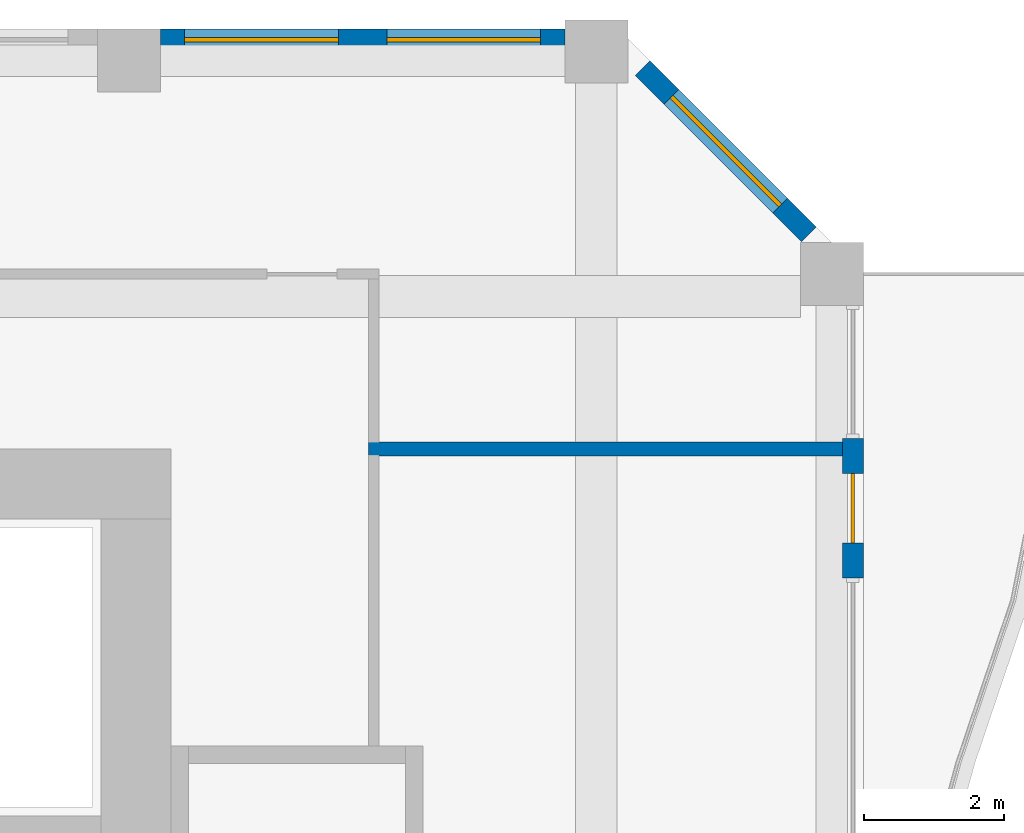
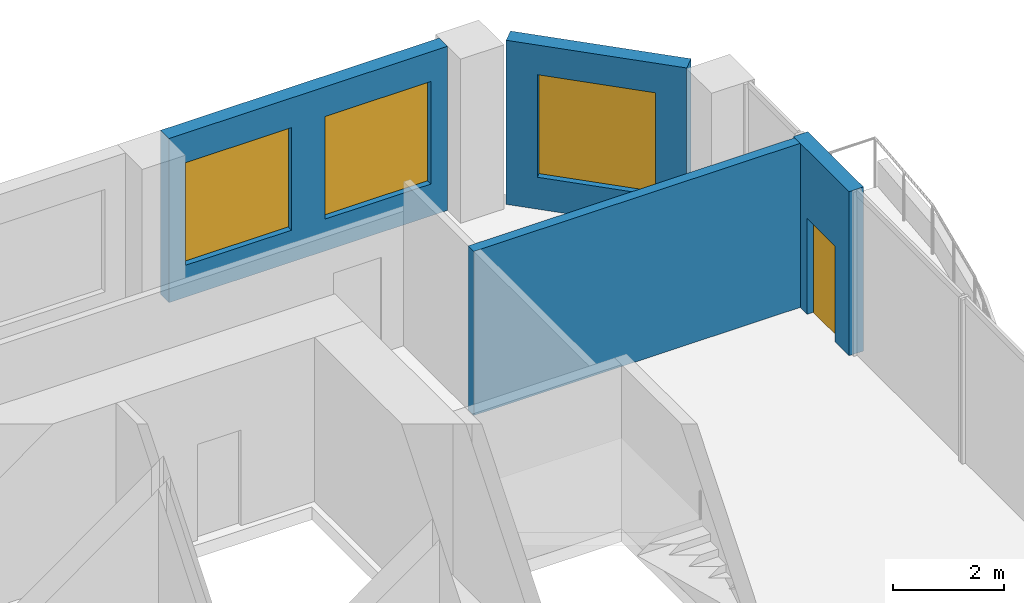
# One storey, part 18 of 23: 4 walls, 3 windows, 1 door, 4 openings.
"""IFC4 building model written with IfcOpenShell, lengths in metres."""

from ifc_helpers import new_model, si_unit, direction, frame, frame_2d, origin, place, context, subcontext, project, spatial, rectangle, extrude, source, transform, mapped, material, layer, layer_set, type_object, element, fill, save


model = new_model("IFC4")

# Units and contexts
model_context = context("Model", 3, precision=1e-05, world=origin(), true_north=direction((0.0, 1.0)))
body_context = subcontext(model_context, "Body", "Model", "MODEL_VIEW")
ifc_project = project(units=[si_unit("LENGTHUNIT", "METRE"), si_unit("AREAUNIT", "SQUARE_METRE"), si_unit("VOLUMEUNIT", "CUBIC_METRE"), si_unit("PLANEANGLEUNIT", "RADIAN"), si_unit("MASSUNIT", "GRAM", prefix="KILO")], contexts=[model_context])

# Site, building, storey
site_placement = place(None, origin())
site = spatial("IfcSite", under=ifc_project, at=site_placement, CompositionType="ELEMENT")
building_placement = place(site_placement, origin())
building = spatial("IfcBuilding", under=site, at=building_placement, Name="Kilnfold Tower and Market Hall", CompositionType="ELEMENT")
storey_placement = place(building_placement, frame((0.0, 0.0, 55.0)))
storey = spatial("IfcBuildingStorey", under=building, at=storey_placement, Name="L12", CompositionType="ELEMENT", Elevation=55.0)

# Wall
ifc_material_1 = material(Name="Gypsum board on steel studs", Category="steel")
ifc_layer_1 = layer(ifc_material_1, 0.199951171875)
ifc_layer_set_1 = layer_set([ifc_layer_1], Name="Gypsum board on steel studs")
wall_type_1 = type_object("IfcWallType", Name="WALL PARTY 200", PredefinedType="PARTITIONING", material=ifc_layer_set_1)
wall_1_placement = place(storey_placement, frame((27.75, 22.0, 0.0), z_axis=(0.0, 0.0, 1.0), x_axis=(-1.0, 0.0, 0.0)))
element("IfcWall", 1, at=wall_1_placement, inside=storey, type_object=wall_type_1, Name="Partition LY10.63", PredefinedType="PARTITIONING", context=body_context, shape_type="SweptSolid", body=[
    extrude(rectangle(XDim=6.823974609375, YDim=0.199951171875, at=frame_2d((3.412109375, 0.0))), origin(), (0.0, 0.0, 1.0), 3.60009765625),
])

# Wall, opening, door
ifc_material_2 = material(Name="Precast concrete C50/60", Category="concrete")
ifc_layer_2 = layer(ifc_material_2, 0.300048828125)
ifc_layer_set_2 = layer_set([ifc_layer_2], Name="Precast concrete C50/60")
wall_type_2 = type_object("IfcWallType", Name="PRECAST WALL 300", PredefinedType="SOLIDWALL", material=ifc_layer_set_2)
shared_shape_1 = source(origin(), body_context, "Body", "SweptSolid", [
    extrude(rectangle(XDim=2.0, YDim=0.300048828125, at=frame_2d((1.0, 0.0))), origin(), (0.0, 0.0, 1.0), 3.60009765625),
])
wall_2_placement = place(storey_placement, frame((27.85009765625, 20.14990234375, 0.0), z_axis=(0.0, 0.0, 1.0), x_axis=(0.0, 1.0, 0.0)))
wall_2 = element("IfcWall", 2, at=wall_2_placement, inside=storey, type_object=wall_type_2, Name="External wall L12 E", PredefinedType="SOLIDWALL", context=body_context, shape_type="MappedRepresentation", body=[
    mapped(shared_shape_1, transform((0.0, 0.0, 0.0))),
])
opening_1_placement = place(wall_2_placement, frame((0.5, 0.0, 0.0)))
opening_1 = element("IfcOpeningElement", 3, at=opening_1_placement, cuts=wall_2, Name="Opening BD1", PredefinedType="OPENING", context=body_context, shape_type="SweptSolid", body=[
    extrude(rectangle(XDim=1.0, YDim=2.10009765625, at=frame_2d((0.5, 1.050048828125))), frame((0.0, 0.16015625, 0.0), z_axis=(0.0, -1.0, 0.0), x_axis=(1.0, 0.0, 0.0)), (0.0, 0.0, 1.0), 0.320068359375),
])
ifc_material_3 = material(Name="Aluminium frame and double glazing", Category="aluminium")
door_type = type_object("IfcDoorType", Name="BALCONY DOOR 1000X2100", OperationType="NOTDEFINED", PredefinedType="DOOR", material=ifc_material_3)
door_placement = place(opening_1_placement, origin())
door = element("IfcDoor", 4, at=door_placement, inside=storey, type_object=door_type, Name="Balcony door BD1 L12 E-4", OperationType="SINGLE_SWING_RIGHT", OverallHeight=2.10009765625, OverallWidth=1.0, PredefinedType="DOOR", context=body_context, shape_type="SweptSolid", body=[
    extrude(rectangle(XDim=1.0, YDim=2.10009765625, at=frame_2d((0.5, 1.050048828125))), frame((0.0, 0.02490234375, 0.0), z_axis=(0.0, -1.0, 0.0), x_axis=(1.0, 0.0, 0.0)), (0.0, 0.0, 1.0), 0.050048828125),
])
fill(opening_1, door)

# Wall, opening, window
shared_shape_2 = source(origin(), body_context, "Body", "SweptSolid", [
    extrude(rectangle(XDim=3.35888671875, YDim=0.300048828125, at=frame_2d((1.679443359375, 0.0))), origin(), (0.0, 0.0, 1.0), 3.60009765625),
])
wall_3_placement = place(storey_placement, frame((27.218994140625, 25.06884765625, 0.0), z_axis=(0.0, 0.0, 1.0), x_axis=(-0.707070438228, 0.707143122278, 0.0)))
wall_3 = element("IfcWall", 5, at=wall_3_placement, inside=storey, type_object=wall_type_2, Name="External wall L12 NE", PredefinedType="SOLIDWALL", context=body_context, shape_type="MappedRepresentation", body=[
    mapped(shared_shape_2, transform((0.0, 0.0, 0.0))),
])
opening_2_placement = place(wall_3_placement, frame((0.579345703125, 0.0, 0.699951171875)))
opening_2 = element("IfcOpeningElement", 6, at=opening_2_placement, cuts=wall_3, Name="Opening W1", PredefinedType="OPENING", context=body_context, shape_type="SweptSolid", body=[
    extrude(rectangle(XDim=2.199951171875, YDim=2.25, at=frame_2d((1.10009765625, 1.125))), frame((0.0, 0.16015625, 0.0), z_axis=(0.0, -1.0, 0.0), x_axis=(1.0, 0.0, 0.0)), (0.0, 0.0, 1.0), 0.320068359375),
])
ifc_material_4 = material(Name="Aluminium frame and double glazing", Category="aluminium")
window_type = type_object("IfcWindowType", Name="WINDOW W1 2200X2250", PartitioningType="SINGLE_PANEL", PredefinedType="WINDOW", material=ifc_material_4)
window_1_placement = place(opening_2_placement, origin())
window_1 = element("IfcWindow", 7, at=window_1_placement, inside=storey, type_object=window_type, Name="Window W1 L12 NE-1", OverallHeight=2.25, OverallWidth=2.199951171875, PartitioningType="SINGLE_PANEL", PredefinedType="WINDOW", context=body_context, shape_type="SweptSolid", body=[
    extrude(rectangle(XDim=2.199951171875, YDim=2.25, at=frame_2d((1.10009765625, 1.125))), frame((0.0, 0.030029296875, 0.0), z_axis=(0.0, -1.0, 0.0), x_axis=(1.0, 0.0, 0.0)), (0.0, 0.0, 1.0), 0.06005859375),
])
fill(opening_2, window_1)

# Wall, openings, windows
shared_shape_3 = source(origin(), body_context, "Body", "SweptSolid", [
    extrude(rectangle(XDim=5.78173828125, YDim=0.300048828125, at=frame_2d((2.890869140625, 0.0))), origin(), (0.0, 0.0, 1.0), 3.60009765625),
])
wall_4_placement = place(storey_placement, frame((23.731689453125, 27.85009765625, 0.0), z_axis=(0.0, 0.0, 1.0), x_axis=(-1.0, 0.0, 0.0)))
wall_4 = element("IfcWall", 8, at=wall_4_placement, inside=storey, type_object=wall_type_2, Name="External wall L12 N", PredefinedType="SOLIDWALL", context=body_context, shape_type="MappedRepresentation", body=[
    mapped(shared_shape_3, transform((0.0, 0.0, 0.0))),
])
opening_3_placement = place(wall_4_placement, frame((0.345458984375, 0.0, 0.699951171875)))
opening_3 = element("IfcOpeningElement", 9, at=opening_3_placement, cuts=wall_4, Name="Opening W1", PredefinedType="OPENING", context=body_context, shape_type="SweptSolid", body=[
    extrude(rectangle(XDim=2.199951171875, YDim=2.25, at=frame_2d((1.10009765625, 1.125))), frame((0.0, 0.16015625, 0.0), z_axis=(0.0, -1.0, 0.0), x_axis=(1.0, 0.0, 0.0)), (0.0, 0.0, 1.0), 0.320068359375),
])
opening_4_placement = place(wall_4_placement, frame((3.236328125, 0.0, 0.699951171875)))
opening_4 = element("IfcOpeningElement", 10, at=opening_4_placement, cuts=wall_4, Name="Opening W1", PredefinedType="OPENING", context=body_context, shape_type="SweptSolid", body=[
    extrude(rectangle(XDim=2.199951171875, YDim=2.25, at=frame_2d((1.10009765625, 1.125))), frame((0.0, 0.16015625, 0.0), z_axis=(0.0, -1.0, 0.0), x_axis=(1.0, 0.0, 0.0)), (0.0, 0.0, 1.0), 0.320068359375),
])
window_2_placement = place(opening_3_placement, origin())
window_2 = element("IfcWindow", 11, at=window_2_placement, inside=storey, type_object=window_type, Name="Window W1 L12 N-1", OverallHeight=2.25, OverallWidth=2.199951171875, PartitioningType="SINGLE_PANEL", PredefinedType="WINDOW", context=body_context, shape_type="SweptSolid", body=[
    extrude(rectangle(XDim=2.199951171875, YDim=2.25, at=frame_2d((1.10009765625, 1.125))), frame((0.0, 0.030029296875, 0.0), z_axis=(0.0, -1.0, 0.0), x_axis=(1.0, 0.0, 0.0)), (0.0, 0.0, 1.0), 0.06005859375),
])
fill(opening_3, window_2)
window_3_placement = place(opening_4_placement, origin())
window_3 = element("IfcWindow", 12, at=window_3_placement, inside=storey, type_object=window_type, Name="Window W1 L12 N-2", OverallHeight=2.25, OverallWidth=2.199951171875, PartitioningType="SINGLE_PANEL", PredefinedType="WINDOW", context=body_context, shape_type="SweptSolid", body=[
    extrude(rectangle(XDim=2.199951171875, YDim=2.25, at=frame_2d((1.10009765625, 1.125))), frame((0.0, 0.030029296875, 0.0), z_axis=(0.0, -1.0, 0.0), x_axis=(1.0, 0.0, 0.0)), (0.0, 0.0, 1.0), 0.06005859375),
])
fill(opening_4, window_3)

save(model, "model.ifc")
